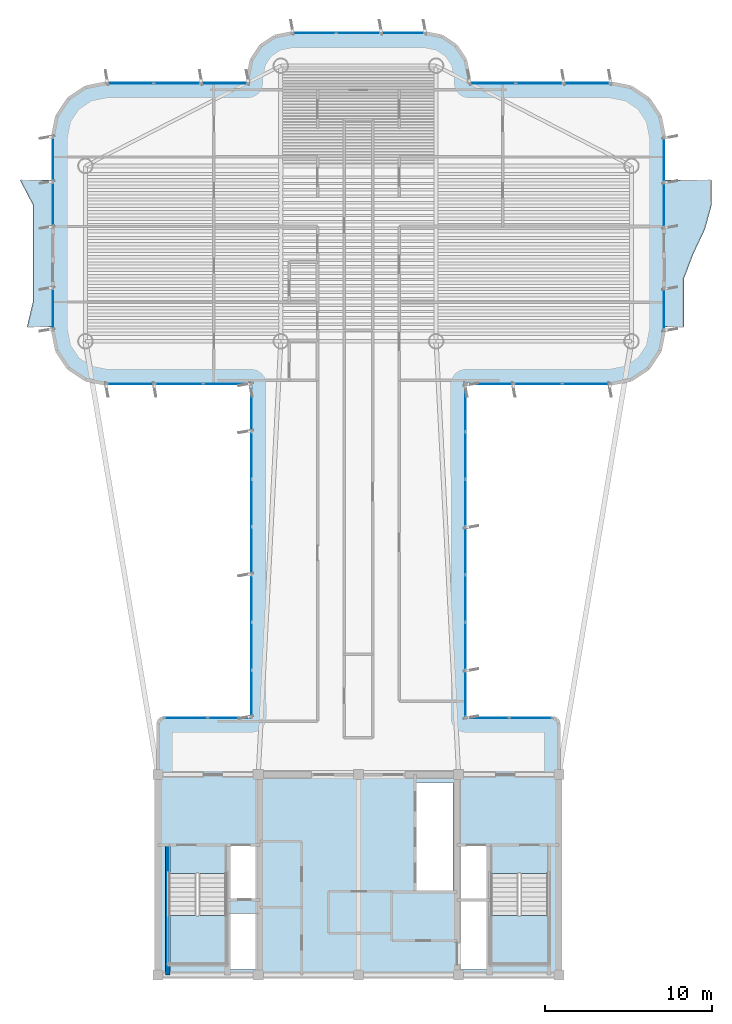
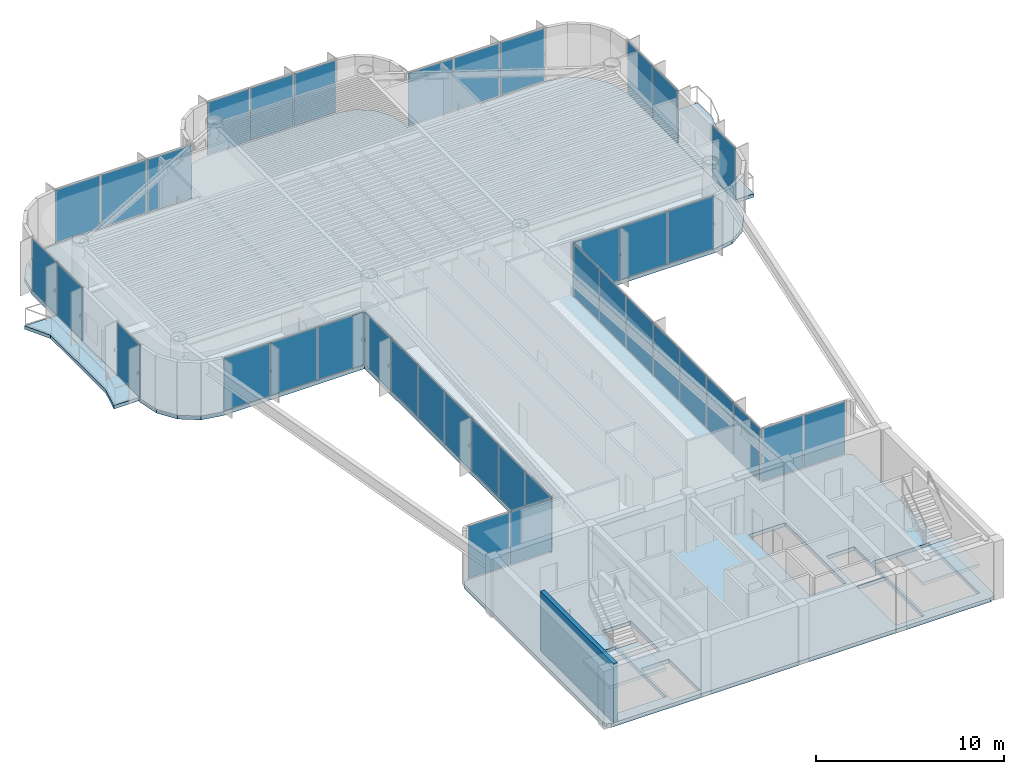
# One storey, part 9 of 15: 39 plates, 5 slabs, 1 wall, 15 elements without a shape of their own.
"""IFC4 building model written with IfcOpenShell, lengths in metres."""

from ifc_helpers import new_model, si_unit, direction, frame, frame_2d, origin, origin_2d, place, context, subcontext, project, spatial, polyline, rectangle, outline, extrude, source, transform, mapped, material, layer, layer_set, type_object, element, aggregate, save


model = new_model("IFC4")

# Units and contexts
model_context = context("Model", 3, precision=1e-05, world=origin(), true_north=direction((0.0, 1.0)))
body_context = subcontext(model_context, "Body", "Model", "MODEL_VIEW")
ifc_project = project(units=[si_unit("LENGTHUNIT", "METRE"), si_unit("AREAUNIT", "SQUARE_METRE"), si_unit("VOLUMEUNIT", "CUBIC_METRE"), si_unit("PLANEANGLEUNIT", "RADIAN"), si_unit("MASSUNIT", "GRAM", prefix="KILO")], contexts=[model_context])

# Site, building, storey
site_placement = place(None, origin())
site = spatial("IfcSite", under=ifc_project, at=site_placement, CompositionType="ELEMENT")
building_placement = place(site_placement, origin())
building = spatial("IfcBuilding", under=site, at=building_placement, Name="Brelvock Crest Care Tower", CompositionType="ELEMENT")
storey_placement = place(building_placement, frame((0.0, 0.0, 260.820068359375)))
storey = spatial("IfcBuildingStorey", under=building, at=storey_placement, Name="L66", CompositionType="ELEMENT", Elevation=260.820068359375)

# Slabs
ifc_material_1 = material(Name="Concrete N50 (50 MPa)", Category="concrete")
ifc_layer_1 = layer(ifc_material_1, 0.25, Name="SLB-FL3")
ifc_layer_set_1 = layer_set([ifc_layer_1], Name="Concrete N50 (50 MPa)")
slab_type_1 = type_object("IfcSlabType", Name="SLB-FL3", PredefinedType="FLOOR", material=ifc_layer_set_1)
slab_1_placement = place(storey_placement, frame((0.0, 0.0, -0.25)))
element("IfcSlab", 1, at=slab_1_placement, inside=storey, type_object=slab_type_1, Name="L66 Main Structural Slab", PredefinedType="FLOOR", context=body_context, shape_type="SweptSolid", body=[
    extrude(outline(polyline([(47.64990234375, 21.39990234375), (42.39990234375, 21.39990234375), (42.39990234375, 41.39990234375), (51.10009765625, 41.39990234375), (52.32470703125, 41.6435546875), (53.36279296875, 42.33740234375), (54.056396484375, 43.37548828125), (54.300048828125, 44.60009765625), (54.300048828125, 56.199951171875), (54.056396484375, 57.424560546875), (53.36279296875, 58.462646484375), (52.32470703125, 59.156494140625), (51.10009765625, 59.39990234375), (42.60009765625, 59.39990234375), (42.60009765625, 59.800048828125), (42.402099609375, 60.794921875), (41.83837890625, 61.638427734375), (40.9951171875, 62.2021484375), (40.0, 62.39990234375), (32.0, 62.39990234375), (31.0048828125, 62.2021484375), (30.16162109375, 61.638427734375), (29.597900390625, 60.794921875), (29.39990234375, 59.800048828125), (29.39990234375, 59.39990234375), (20.89990234375, 59.39990234375), (19.67529296875, 59.156494140625), (18.63720703125, 58.462646484375), (17.943603515625, 57.424560546875), (17.699951171875, 56.199951171875), (17.699951171875, 44.60009765625), (17.943603515625, 43.37548828125), (18.63720703125, 42.33740234375), (19.67529296875, 41.6435546875), (20.89990234375, 41.39990234375), (29.60009765625, 41.39990234375), (29.60009765625, 21.39990234375), (24.35009765625, 21.39990234375), (24.1025390625, 21.297607421875), (24.0, 21.050048828125), (24.0, 6.35009765625), (24.1025390625, 6.1025390625), (24.35009765625, 6.0), (47.64990234375, 6.0), (47.8974609375, 6.1025390625), (48.0, 6.35009765625), (48.0, 21.050048828125), (47.8974609375, 21.297607421875), (47.64990234375, 21.39990234375)]), holes=[polyline([(28.239990234375, 10.580078125), (29.97998046875, 10.580078125), (29.97998046875, 13.739990234375), (28.239990234375, 13.739990234375), (28.239990234375, 10.580078125)]), polyline([(42.02001953125, 10.580078125), (43.760009765625, 10.580078125), (43.760009765625, 13.739990234375), (42.02001953125, 13.739990234375), (42.02001953125, 10.580078125)]), polyline([(28.239990234375, 6.340087890625), (29.97998046875, 6.340087890625), (29.97998046875, 9.64990234375), (28.239990234375, 9.64990234375), (28.239990234375, 6.340087890625)]), polyline([(24.6298828125, 12.080078125), (24.6298828125, 6.699951171875), (28.110107421875, 6.699951171875), (28.110107421875, 12.080078125), (24.6298828125, 12.080078125)]), polyline([(43.889892578125, 12.080078125), (43.889892578125, 6.699951171875), (47.3701171875, 6.699951171875), (47.3701171875, 12.080078125), (43.889892578125, 12.080078125)]), polyline([(42.02001953125, 6.340087890625), (43.760009765625, 6.340087890625), (43.760009765625, 10.5), (42.02001953125, 10.5), (42.02001953125, 6.340087890625)]), polyline([(39.429931640625, 11.030029296875), (41.669921875, 11.030029296875), (41.669921875, 17.52001953125), (39.429931640625, 17.52001953125), (39.429931640625, 11.030029296875)])]), origin(), (0.0, 0.0, 1.0), 0.25),
])
ifc_layer_2 = layer(ifc_material_1, 0.219970703125, Name="SLB-WB1")
ifc_layer_set_2 = layer_set([ifc_layer_2], Name="Concrete N50 (50 MPa)")
slab_type_2 = type_object("IfcSlabType", Name="SLB-WB1", PredefinedType="FLOOR", material=ifc_layer_set_2)
slab_2_placement = place(storey_placement, frame((0.0, 0.0, -0.219970703125)))
element("IfcSlab", 2, at=slab_2_placement, inside=storey, type_object=slab_type_2, Name="L66 W Sinusoidal Wave Balcony Slab", PredefinedType="FLOOR", context=body_context, shape_type="SweptSolid", body=[
    extrude(outline(polyline([(17.699951171875, 53.60009765625), (15.73291015625, 53.60009765625), (16.49951171875, 52.13330078125), (16.5, 50.666748046875), (16.5, 49.199951171875), (16.5, 47.7333984375), (16.5, 46.2666015625), (16.14990234375, 44.800048828125), (17.699951171875, 44.800048828125), (17.699951171875, 53.60009765625)])), origin(), (0.0, 0.0, 1.0), 0.219970703125),
])
slab_3_placement = place(storey_placement, frame((0.0, 0.0, -0.219970703125)))
element("IfcSlab", 3, at=slab_3_placement, inside=storey, type_object=slab_type_2, Name="L66 E Sinusoidal Wave Balcony Slab", PredefinedType="FLOOR", context=body_context, shape_type="SweptSolid", body=[
    extrude(outline(polyline([(54.300048828125, 44.800048828125), (55.5, 44.800048828125), (55.5, 46.2666015625), (55.5, 47.7333984375), (56.061279296875, 49.199951171875), (56.75341796875, 50.666748046875), (57.154052734375, 52.13330078125), (57.1337890625, 53.60009765625), (54.300048828125, 53.60009765625), (54.300048828125, 44.800048828125)])), origin(), (0.0, 0.0, 1.0), 0.219970703125),
])

# Stair, slab
ifc_material_2 = material(Name="Concrete N40 (40 MPa)", Category="concrete")
stair_type = type_object("IfcStairType", Name="ST-CORE1", PredefinedType="HALF_TURN_STAIR", material=ifc_material_2)
stair_1_placement = place(storey_placement, origin())
stair_1 = element("IfcStair", 4, at=stair_1_placement, inside=storey, type_object=stair_type, Name="L66 Fire-Isolated Core Stair ST-1", PredefinedType="HALF_TURN_STAIR")
ifc_layer_3 = layer(ifc_material_2, 0.199951171875, Name="STL-1")
ifc_layer_set_3 = layer_set([ifc_layer_3], Name="Concrete N40 (40 MPa)")
slab_type_3 = type_object("IfcSlabType", Name="STL-1", PredefinedType="LANDING", material=ifc_layer_set_3)
slab_4_placement = place(storey_placement, frame((0.0, 0.0, 1.68994140625)))
slab_4 = element("IfcSlab", 5, at=slab_4_placement, type_object=slab_type_3, Name="ST-1 landing 1", PredefinedType="LANDING", context=body_context, shape_type="SweptSolid", body=[
    extrude(outline(polyline([(24.6298828125, 9.56005859375), (24.6298828125, 6.699951171875), (28.110107421875, 6.699951171875), (28.110107421875, 9.56005859375), (24.6298828125, 9.56005859375)])), origin(), (0.0, 0.0, 1.0), 0.199951171875),
])
aggregate(stair_1, [slab_4])

stair_2_placement = place(storey_placement, origin())
stair_2 = element("IfcStair", 6, at=stair_2_placement, inside=storey, type_object=stair_type, Name="L66 Fire-Isolated Core Stair ST-2", PredefinedType="HALF_TURN_STAIR")
slab_5_placement = place(storey_placement, frame((0.0, 0.0, 1.68994140625)))
slab_5 = element("IfcSlab", 7, at=slab_5_placement, type_object=slab_type_3, Name="ST-2 landing 1", PredefinedType="LANDING", context=body_context, shape_type="SweptSolid", body=[
    extrude(outline(polyline([(43.889892578125, 9.56005859375), (43.889892578125, 6.699951171875), (47.3701171875, 6.699951171875), (47.3701171875, 9.56005859375), (43.889892578125, 9.56005859375)])), origin(), (0.0, 0.0, 1.0), 0.199951171875),
])
aggregate(stair_2, [slab_5])

# Curtain wall, plates
ifc_material_3 = material(Name="Dark Glass Double Glazed Low-E", Category="glass")
ifc_layer_4 = layer(ifc_material_3, 0.239990234375, Name="CWS-5")
ifc_layer_set_4 = layer_set([ifc_layer_4], Name="Dark Glass Double Glazed Low-E")
curtain_wall_type = type_object("IfcCurtainWallType", Name="CWS-5", PredefinedType="NOTDEFINED", material=ifc_layer_set_4)
curtain_wall_1_placement = place(storey_placement, origin())
curtain_wall_1 = element("IfcCurtainWall", 8, at=curtain_wall_1_placement, inside=storey, type_object=curtain_wall_type, Name="L66 Curtain Wall E10", PredefinedType="NOTDEFINED")
ifc_layer_5 = layer(ifc_material_3, 0.0380859375, Name="CWP-V2")
ifc_layer_set_5 = layer_set([ifc_layer_5], Name="Dark Glass Double Glazed Low-E")
plate_type = type_object("IfcPlateType", Name="CWP-V2", PredefinedType="CURTAIN_PANEL", material=ifc_layer_set_5)
shared_shape_1 = source(origin(), body_context, "Body", "SweptSolid", [
    extrude(rectangle(XDim=2.534912109375, YDim=0.035888671875, at=origin_2d()), origin(), (0.0, 0.0, 1.0), 3.409912109375),
])
plate_1_placement = place(storey_placement, frame((25.677490234375, 21.39990234375, 0.06005859375), z_axis=(0.0, 0.0, 1.0), x_axis=(1.0, 0.0, 0.0)))
plate_1 = element("IfcPlate", 9, at=plate_1_placement, type_object=plate_type, Name="CW-5 panel 1.1", PredefinedType="CURTAIN_PANEL", context=body_context, shape_type="MappedRepresentation", body=[
    mapped(shared_shape_1, transform((0.0, 0.0, 0.0), x_axis=(1.0, 0.0, 0.0), y_axis=(0.0, 1.0, 0.0), z_axis=(0.0, 0.0, 1.0), scale=1.0)),
])
plate_2_placement = place(storey_placement, frame((28.2724609375, 21.39990234375, 0.06005859375), z_axis=(0.0, 0.0, 1.0), x_axis=(1.0, 0.0, 0.0)))
plate_2 = element("IfcPlate", 10, at=plate_2_placement, type_object=plate_type, Name="CW-5 panel 2.1", PredefinedType="CURTAIN_PANEL", context=body_context, shape_type="MappedRepresentation", body=[
    mapped(shared_shape_1, transform((0.0, 0.0, 0.0), x_axis=(1.0, 0.0, 0.0), y_axis=(0.0, 1.0, 0.0), z_axis=(0.0, 0.0, 1.0), scale=1.0)),
])
aggregate(curtain_wall_1, [plate_1, plate_2])

curtain_wall_2_placement = place(storey_placement, origin())
curtain_wall_2 = element("IfcCurtainWall", 11, at=curtain_wall_2_placement, inside=storey, type_object=curtain_wall_type, Name="L66 Curtain Wall E46", PredefinedType="NOTDEFINED")
plate_3_placement = place(storey_placement, frame((43.7275390625, 21.39990234375, 0.06005859375), z_axis=(0.0, 0.0, 1.0), x_axis=(1.0, 0.0, 0.0)))
plate_3 = element("IfcPlate", 12, at=plate_3_placement, type_object=plate_type, Name="CW-5 panel 1.1", PredefinedType="CURTAIN_PANEL", context=body_context, shape_type="MappedRepresentation", body=[
    mapped(shared_shape_1, transform((0.0, 0.0, 0.0), x_axis=(1.0, 0.0, 0.0), y_axis=(0.0, 1.0, 0.0), z_axis=(0.0, 0.0, 1.0), scale=1.0)),
])
plate_4_placement = place(storey_placement, frame((46.322509765625, 21.39990234375, 0.06005859375), z_axis=(0.0, 0.0, 1.0), x_axis=(1.0, 0.0, 0.0)))
plate_4 = element("IfcPlate", 13, at=plate_4_placement, type_object=plate_type, Name="CW-5 panel 2.1", PredefinedType="CURTAIN_PANEL", context=body_context, shape_type="MappedRepresentation", body=[
    mapped(shared_shape_1, transform((0.0, 0.0, 0.0), x_axis=(1.0, 0.0, 0.0), y_axis=(0.0, 1.0, 0.0), z_axis=(0.0, 0.0, 1.0), scale=1.0)),
])
aggregate(curtain_wall_2, [plate_3, plate_4])

curtain_wall_3_placement = place(storey_placement, origin())
curtain_wall_3 = element("IfcCurtainWall", 14, at=curtain_wall_3_placement, inside=storey, type_object=curtain_wall_type, Name="L66 Curtain Wall E11", PredefinedType="NOTDEFINED")
shared_shape_2 = source(origin(), body_context, "Body", "SweptSolid", [
    extrude(rectangle(XDim=2.76708984375, YDim=0.035888671875, at=origin_2d()), origin(), (0.0, 0.0, 1.0), 3.409912109375),
])
plate_5_placement = place(storey_placement, frame((29.60009765625, 22.843505859375, 0.06005859375), z_axis=(0.0, 0.0, 1.0), x_axis=(0.0, 1.0, 0.0)))
plate_5 = element("IfcPlate", 15, at=plate_5_placement, type_object=plate_type, Name="CW-5 panel 1.1", PredefinedType="CURTAIN_PANEL", context=body_context, shape_type="MappedRepresentation", body=[
    mapped(shared_shape_2, transform((0.0, 0.0, 0.0), x_axis=(1.0, 0.0, 0.0), y_axis=(0.0, 1.0, 0.0), z_axis=(0.0, 0.0, 1.0), scale=1.0)),
])
plate_6_placement = place(storey_placement, frame((29.60009765625, 39.95654296875, 0.06005859375), z_axis=(0.0, 0.0, 1.0), x_axis=(0.0, 1.0, 0.0)))
plate_6 = element("IfcPlate", 16, at=plate_6_placement, type_object=plate_type, Name="CW-5 panel 7.1", PredefinedType="CURTAIN_PANEL", context=body_context, shape_type="MappedRepresentation", body=[
    mapped(shared_shape_2, transform((0.0, 0.0, 0.0), x_axis=(1.0, 0.0, 0.0), y_axis=(0.0, 1.0, 0.0), z_axis=(0.0, 0.0, 1.0), scale=1.0)),
])

curtain_wall_4_placement = place(storey_placement, origin())
curtain_wall_4 = element("IfcCurtainWall", 17, at=curtain_wall_4_placement, inside=storey, type_object=curtain_wall_type, Name="L66 Curtain Wall E45", PredefinedType="NOTDEFINED")
plate_7_placement = place(storey_placement, frame((42.39990234375, 39.95654296875, 0.06005859375), z_axis=(0.0, 0.0, 1.0), x_axis=(0.0, -1.0, 0.0)))
plate_7 = element("IfcPlate", 18, at=plate_7_placement, type_object=plate_type, Name="CW-5 panel 1.1", PredefinedType="CURTAIN_PANEL", context=body_context, shape_type="MappedRepresentation", body=[
    mapped(shared_shape_2, transform((0.0, 0.0, 0.0), x_axis=(1.0, 0.0, 0.0), y_axis=(0.0, 1.0, 0.0), z_axis=(0.0, 0.0, 1.0), scale=1.0)),
])
plate_8_placement = place(storey_placement, frame((42.39990234375, 22.843505859375, 0.06005859375), z_axis=(0.0, 0.0, 1.0), x_axis=(0.0, -1.0, 0.0)))
plate_8 = element("IfcPlate", 19, at=plate_8_placement, type_object=plate_type, Name="CW-5 panel 7.1", PredefinedType="CURTAIN_PANEL", context=body_context, shape_type="MappedRepresentation", body=[
    mapped(shared_shape_2, transform((0.0, 0.0, 0.0), x_axis=(1.0, 0.0, 0.0), y_axis=(0.0, 1.0, 0.0), z_axis=(0.0, 0.0, 1.0), scale=1.0)),
])

# Plate
shared_shape_3 = source(origin(), body_context, "Body", "SweptSolid", [
    extrude(rectangle(XDim=2.797119140625, YDim=0.035888671875, at=origin_2d()), origin(), (0.0, 0.0, 1.0), 3.409912109375),
])
plate_9_placement = place(storey_placement, frame((29.60009765625, 25.685791015625, 0.06005859375), z_axis=(0.0, 0.0, 1.0), x_axis=(0.0, 1.0, 0.0)))
plate_9 = element("IfcPlate", 20, at=plate_9_placement, type_object=plate_type, Name="CW-5 panel 2.1", PredefinedType="CURTAIN_PANEL", context=body_context, shape_type="MappedRepresentation", body=[
    mapped(shared_shape_3, transform((0.0, 0.0, 0.0), x_axis=(1.0, 0.0, 0.0), y_axis=(0.0, 1.0, 0.0), z_axis=(0.0, 0.0, 1.0), scale=1.0)),
])

plate_10_placement = place(storey_placement, frame((29.60009765625, 28.54296875, 0.06005859375), z_axis=(0.0, 0.0, 1.0), x_axis=(0.0, 1.0, 0.0)))
plate_10 = element("IfcPlate", 21, at=plate_10_placement, type_object=plate_type, Name="CW-5 panel 3.1", PredefinedType="CURTAIN_PANEL", context=body_context, shape_type="MappedRepresentation", body=[
    mapped(shared_shape_3, transform((0.0, 0.0, 0.0), x_axis=(1.0, 0.0, 0.0), y_axis=(0.0, 1.0, 0.0), z_axis=(0.0, 0.0, 1.0), scale=1.0)),
])

plate_11_placement = place(storey_placement, frame((29.60009765625, 31.39990234375, 0.06005859375), z_axis=(0.0, 0.0, 1.0), x_axis=(0.0, 1.0, 0.0)))
plate_11 = element("IfcPlate", 22, at=plate_11_placement, type_object=plate_type, Name="CW-5 panel 4.1", PredefinedType="CURTAIN_PANEL", context=body_context, shape_type="MappedRepresentation", body=[
    mapped(shared_shape_3, transform((0.0, 0.0, 0.0), x_axis=(1.0, 0.0, 0.0), y_axis=(0.0, 1.0, 0.0), z_axis=(0.0, 0.0, 1.0), scale=1.0)),
])

plate_12_placement = place(storey_placement, frame((29.60009765625, 34.257080078125, 0.06005859375), z_axis=(0.0, 0.0, 1.0), x_axis=(0.0, 1.0, 0.0)))
plate_12 = element("IfcPlate", 23, at=plate_12_placement, type_object=plate_type, Name="CW-5 panel 5.1", PredefinedType="CURTAIN_PANEL", context=body_context, shape_type="MappedRepresentation", body=[
    mapped(shared_shape_3, transform((0.0, 0.0, 0.0), x_axis=(1.0, 0.0, 0.0), y_axis=(0.0, 1.0, 0.0), z_axis=(0.0, 0.0, 1.0), scale=1.0)),
])

plate_13_placement = place(storey_placement, frame((29.60009765625, 37.1142578125, 0.06005859375), z_axis=(0.0, 0.0, 1.0), x_axis=(0.0, 1.0, 0.0)))
plate_13 = element("IfcPlate", 24, at=plate_13_placement, type_object=plate_type, Name="CW-5 panel 6.1", PredefinedType="CURTAIN_PANEL", context=body_context, shape_type="MappedRepresentation", body=[
    mapped(shared_shape_3, transform((0.0, 0.0, 0.0), x_axis=(1.0, 0.0, 0.0), y_axis=(0.0, 1.0, 0.0), z_axis=(0.0, 0.0, 1.0), scale=1.0)),
])

aggregate(curtain_wall_3, [plate_5, plate_9, plate_10, plate_11, plate_12, plate_13, plate_6])

plate_14_placement = place(storey_placement, frame((42.39990234375, 37.1142578125, 0.06005859375), z_axis=(0.0, 0.0, 1.0), x_axis=(0.0, -1.0, 0.0)))
plate_14 = element("IfcPlate", 25, at=plate_14_placement, type_object=plate_type, Name="CW-5 panel 2.1", PredefinedType="CURTAIN_PANEL", context=body_context, shape_type="MappedRepresentation", body=[
    mapped(shared_shape_3, transform((0.0, 0.0, 0.0), x_axis=(1.0, 0.0, 0.0), y_axis=(0.0, 1.0, 0.0), z_axis=(0.0, 0.0, 1.0), scale=1.0)),
])

plate_15_placement = place(storey_placement, frame((42.39990234375, 34.257080078125, 0.06005859375), z_axis=(0.0, 0.0, 1.0), x_axis=(0.0, -1.0, 0.0)))
plate_15 = element("IfcPlate", 26, at=plate_15_placement, type_object=plate_type, Name="CW-5 panel 3.1", PredefinedType="CURTAIN_PANEL", context=body_context, shape_type="MappedRepresentation", body=[
    mapped(shared_shape_3, transform((0.0, 0.0, 0.0), x_axis=(1.0, 0.0, 0.0), y_axis=(0.0, 1.0, 0.0), z_axis=(0.0, 0.0, 1.0), scale=1.0)),
])

plate_16_placement = place(storey_placement, frame((42.39990234375, 31.39990234375, 0.06005859375), z_axis=(0.0, 0.0, 1.0), x_axis=(0.0, -1.0, 0.0)))
plate_16 = element("IfcPlate", 27, at=plate_16_placement, type_object=plate_type, Name="CW-5 panel 4.1", PredefinedType="CURTAIN_PANEL", context=body_context, shape_type="MappedRepresentation", body=[
    mapped(shared_shape_3, transform((0.0, 0.0, 0.0), x_axis=(1.0, 0.0, 0.0), y_axis=(0.0, 1.0, 0.0), z_axis=(0.0, 0.0, 1.0), scale=1.0)),
])

plate_17_placement = place(storey_placement, frame((42.39990234375, 28.54296875, 0.06005859375), z_axis=(0.0, 0.0, 1.0), x_axis=(0.0, -1.0, 0.0)))
plate_17 = element("IfcPlate", 28, at=plate_17_placement, type_object=plate_type, Name="CW-5 panel 5.1", PredefinedType="CURTAIN_PANEL", context=body_context, shape_type="MappedRepresentation", body=[
    mapped(shared_shape_3, transform((0.0, 0.0, 0.0), x_axis=(1.0, 0.0, 0.0), y_axis=(0.0, 1.0, 0.0), z_axis=(0.0, 0.0, 1.0), scale=1.0)),
])

plate_18_placement = place(storey_placement, frame((42.39990234375, 25.685791015625, 0.06005859375), z_axis=(0.0, 0.0, 1.0), x_axis=(0.0, -1.0, 0.0)))
plate_18 = element("IfcPlate", 29, at=plate_18_placement, type_object=plate_type, Name="CW-5 panel 6.1", PredefinedType="CURTAIN_PANEL", context=body_context, shape_type="MappedRepresentation", body=[
    mapped(shared_shape_3, transform((0.0, 0.0, 0.0), x_axis=(1.0, 0.0, 0.0), y_axis=(0.0, 1.0, 0.0), z_axis=(0.0, 0.0, 1.0), scale=1.0)),
])

aggregate(curtain_wall_4, [plate_7, plate_14, plate_15, plate_16, plate_17, plate_18, plate_8])

# Curtain wall, plates
curtain_wall_5_placement = place(storey_placement, origin())
curtain_wall_5 = element("IfcCurtainWall", 30, at=curtain_wall_5_placement, inside=storey, type_object=curtain_wall_type, Name="L66 Curtain Wall E12", PredefinedType="NOTDEFINED")
shared_shape_4 = source(origin(), body_context, "Body", "SweptSolid", [
    extrude(rectangle(XDim=2.81005859375, YDim=0.035888671875, at=origin_2d()), origin(), (0.0, 0.0, 1.0), 3.409912109375),
])
plate_19_placement = place(storey_placement, frame((28.135009765625, 41.39990234375, 0.06005859375), z_axis=(0.0, 0.0, 1.0), x_axis=(-1.0, 0.0, 0.0)))
plate_19 = element("IfcPlate", 31, at=plate_19_placement, type_object=plate_type, Name="CW-5 panel 1.1", PredefinedType="CURTAIN_PANEL", context=body_context, shape_type="MappedRepresentation", body=[
    mapped(shared_shape_4, transform((0.0, 0.0, 0.0), x_axis=(1.0, 0.0, 0.0), y_axis=(0.0, 1.0, 0.0), z_axis=(0.0, 0.0, 1.0), scale=1.0)),
])
plate_20_placement = place(storey_placement, frame((22.364990234375, 41.39990234375, 0.06005859375), z_axis=(0.0, 0.0, 1.0), x_axis=(-1.0, 0.0, 0.0)))
plate_20 = element("IfcPlate", 32, at=plate_20_placement, type_object=plate_type, Name="CW-5 panel 3.1", PredefinedType="CURTAIN_PANEL", context=body_context, shape_type="MappedRepresentation", body=[
    mapped(shared_shape_4, transform((0.0, 0.0, 0.0), x_axis=(1.0, 0.0, 0.0), y_axis=(0.0, 1.0, 0.0), z_axis=(0.0, 0.0, 1.0), scale=1.0)),
])

curtain_wall_6_placement = place(storey_placement, origin())
curtain_wall_6 = element("IfcCurtainWall", 33, at=curtain_wall_6_placement, inside=storey, type_object=curtain_wall_type, Name="L66 Curtain Wall E44", PredefinedType="NOTDEFINED")
plate_21_placement = place(storey_placement, frame((49.635009765625, 41.39990234375, 0.06005859375), z_axis=(0.0, 0.0, 1.0), x_axis=(-1.0, 0.0, 0.0)))
plate_21 = element("IfcPlate", 34, at=plate_21_placement, type_object=plate_type, Name="CW-5 panel 1.1", PredefinedType="CURTAIN_PANEL", context=body_context, shape_type="MappedRepresentation", body=[
    mapped(shared_shape_4, transform((0.0, 0.0, 0.0), x_axis=(1.0, 0.0, 0.0), y_axis=(0.0, 1.0, 0.0), z_axis=(0.0, 0.0, 1.0), scale=1.0)),
])
plate_22_placement = place(storey_placement, frame((43.864990234375, 41.39990234375, 0.06005859375), z_axis=(0.0, 0.0, 1.0), x_axis=(-1.0, 0.0, 0.0)))
plate_22 = element("IfcPlate", 35, at=plate_22_placement, type_object=plate_type, Name="CW-5 panel 3.1", PredefinedType="CURTAIN_PANEL", context=body_context, shape_type="MappedRepresentation", body=[
    mapped(shared_shape_4, transform((0.0, 0.0, 0.0), x_axis=(1.0, 0.0, 0.0), y_axis=(0.0, 1.0, 0.0), z_axis=(0.0, 0.0, 1.0), scale=1.0)),
])

# Plate
shared_shape_5 = source(origin(), body_context, "Body", "SweptSolid", [
    extrude(rectangle(XDim=2.840087890625, YDim=0.035888671875, at=origin_2d()), origin(), (0.0, 0.0, 1.0), 3.409912109375),
])
plate_23_placement = place(storey_placement, frame((25.25, 41.39990234375, 0.06005859375), z_axis=(0.0, 0.0, 1.0), x_axis=(-1.0, 0.0, 0.0)))
plate_23 = element("IfcPlate", 36, at=plate_23_placement, type_object=plate_type, Name="CW-5 panel 2.1", PredefinedType="CURTAIN_PANEL", context=body_context, shape_type="MappedRepresentation", body=[
    mapped(shared_shape_5, transform((0.0, 0.0, 0.0), x_axis=(1.0, 0.0, 0.0), y_axis=(0.0, 1.0, 0.0), z_axis=(0.0, 0.0, 1.0), scale=1.0)),
])

aggregate(curtain_wall_5, [plate_19, plate_23, plate_20])

plate_24_placement = place(storey_placement, frame((46.75, 41.39990234375, 0.06005859375), z_axis=(0.0, 0.0, 1.0), x_axis=(-1.0, 0.0, 0.0)))
plate_24 = element("IfcPlate", 37, at=plate_24_placement, type_object=plate_type, Name="CW-5 panel 2.1", PredefinedType="CURTAIN_PANEL", context=body_context, shape_type="MappedRepresentation", body=[
    mapped(shared_shape_5, transform((0.0, 0.0, 0.0), x_axis=(1.0, 0.0, 0.0), y_axis=(0.0, 1.0, 0.0), z_axis=(0.0, 0.0, 1.0), scale=1.0)),
])

aggregate(curtain_wall_6, [plate_21, plate_24, plate_22])

# Curtain wall, plates
curtain_wall_7_placement = place(storey_placement, origin())
curtain_wall_7 = element("IfcCurtainWall", 38, at=curtain_wall_7_placement, inside=storey, type_object=curtain_wall_type, Name="L66 Curtain Wall E22", PredefinedType="NOTDEFINED")
shared_shape_6 = source(origin(), body_context, "Body", "SweptSolid", [
    extrude(rectangle(XDim=2.743408203125, YDim=0.035888671875, at=origin_2d()), origin(), (0.0, 0.0, 1.0), 3.409912109375),
])
plate_25_placement = place(storey_placement, frame((22.331787109375, 59.39990234375, 0.06005859375), z_axis=(0.0, 0.0, 1.0), x_axis=(1.0, 0.0, 0.0)))
plate_25 = element("IfcPlate", 39, at=plate_25_placement, type_object=plate_type, Name="CW-5 panel 1.1", PredefinedType="CURTAIN_PANEL", context=body_context, shape_type="MappedRepresentation", body=[
    mapped(shared_shape_6, transform((0.0, 0.0, 0.0), x_axis=(1.0, 0.0, 0.0), y_axis=(0.0, 1.0, 0.0), z_axis=(0.0, 0.0, 1.0), scale=1.0)),
])
plate_26_placement = place(storey_placement, frame((27.96826171875, 59.39990234375, 0.06005859375), z_axis=(0.0, 0.0, 1.0), x_axis=(1.0, 0.0, 0.0)))
plate_26 = element("IfcPlate", 40, at=plate_26_placement, type_object=plate_type, Name="CW-5 panel 3.1", PredefinedType="CURTAIN_PANEL", context=body_context, shape_type="MappedRepresentation", body=[
    mapped(shared_shape_6, transform((0.0, 0.0, 0.0), x_axis=(1.0, 0.0, 0.0), y_axis=(0.0, 1.0, 0.0), z_axis=(0.0, 0.0, 1.0), scale=1.0)),
])

curtain_wall_8_placement = place(storey_placement, origin())
curtain_wall_8 = element("IfcCurtainWall", 41, at=curtain_wall_8_placement, inside=storey, type_object=curtain_wall_type, Name="L66 Curtain Wall E34", PredefinedType="NOTDEFINED")
plate_27_placement = place(storey_placement, frame((44.03173828125, 59.39990234375, 0.06005859375), z_axis=(0.0, 0.0, 1.0), x_axis=(1.0, 0.0, 0.0)))
plate_27 = element("IfcPlate", 42, at=plate_27_placement, type_object=plate_type, Name="CW-5 panel 1.1", PredefinedType="CURTAIN_PANEL", context=body_context, shape_type="MappedRepresentation", body=[
    mapped(shared_shape_6, transform((0.0, 0.0, 0.0), x_axis=(1.0, 0.0, 0.0), y_axis=(0.0, 1.0, 0.0), z_axis=(0.0, 0.0, 1.0), scale=1.0)),
])
plate_28_placement = place(storey_placement, frame((49.668212890625, 59.39990234375, 0.06005859375), z_axis=(0.0, 0.0, 1.0), x_axis=(1.0, 0.0, 0.0)))
plate_28 = element("IfcPlate", 43, at=plate_28_placement, type_object=plate_type, Name="CW-5 panel 3.1", PredefinedType="CURTAIN_PANEL", context=body_context, shape_type="MappedRepresentation", body=[
    mapped(shared_shape_6, transform((0.0, 0.0, 0.0), x_axis=(1.0, 0.0, 0.0), y_axis=(0.0, 1.0, 0.0), z_axis=(0.0, 0.0, 1.0), scale=1.0)),
])

# Plate
shared_shape_7 = source(origin(), body_context, "Body", "SweptSolid", [
    extrude(rectangle(XDim=2.7734375, YDim=0.035888671875, at=origin_2d()), origin(), (0.0, 0.0, 1.0), 3.409912109375),
])
plate_29_placement = place(storey_placement, frame((25.14990234375, 59.39990234375, 0.06005859375), z_axis=(0.0, 0.0, 1.0), x_axis=(1.0, 0.0, 0.0)))
plate_29 = element("IfcPlate", 44, at=plate_29_placement, type_object=plate_type, Name="CW-5 panel 2.1", PredefinedType="CURTAIN_PANEL", context=body_context, shape_type="MappedRepresentation", body=[
    mapped(shared_shape_7, transform((0.0, 0.0, 0.0), x_axis=(1.0, 0.0, 0.0), y_axis=(0.0, 1.0, 0.0), z_axis=(0.0, 0.0, 1.0), scale=1.0)),
])

aggregate(curtain_wall_7, [plate_25, plate_29, plate_26])

plate_30_placement = place(storey_placement, frame((46.85009765625, 59.39990234375, 0.06005859375), z_axis=(0.0, 0.0, 1.0), x_axis=(1.0, 0.0, 0.0)))
plate_30 = element("IfcPlate", 45, at=plate_30_placement, type_object=plate_type, Name="CW-5 panel 2.1", PredefinedType="CURTAIN_PANEL", context=body_context, shape_type="MappedRepresentation", body=[
    mapped(shared_shape_7, transform((0.0, 0.0, 0.0), x_axis=(1.0, 0.0, 0.0), y_axis=(0.0, 1.0, 0.0), z_axis=(0.0, 0.0, 1.0), scale=1.0)),
])

aggregate(curtain_wall_8, [plate_27, plate_30, plate_28])

# Curtain wall, plates
curtain_wall_9_placement = place(storey_placement, origin())
curtain_wall_9 = element("IfcCurtainWall", 46, at=curtain_wall_9_placement, inside=storey, type_object=curtain_wall_type, Name="L66 Curtain Wall E28", PredefinedType="NOTDEFINED")
shared_shape_8 = source(origin(), body_context, "Body", "SweptSolid", [
    extrude(rectangle(XDim=2.57666015625, YDim=0.035888671875, at=origin_2d()), origin(), (0.0, 0.0, 1.0), 3.409912109375),
])
plate_31_placement = place(storey_placement, frame((33.348388671875, 62.39990234375, 0.06005859375), z_axis=(0.0, 0.0, 1.0), x_axis=(1.0, 0.0, 0.0)))
plate_31 = element("IfcPlate", 47, at=plate_31_placement, type_object=plate_type, Name="CW-5 panel 1.1", PredefinedType="CURTAIN_PANEL", context=body_context, shape_type="MappedRepresentation", body=[
    mapped(shared_shape_8, transform((0.0, 0.0, 0.0), x_axis=(1.0, 0.0, 0.0), y_axis=(0.0, 1.0, 0.0), z_axis=(0.0, 0.0, 1.0), scale=1.0)),
])
plate_32_placement = place(storey_placement, frame((38.651611328125, 62.39990234375, 0.06005859375), z_axis=(0.0, 0.0, 1.0), x_axis=(1.0, 0.0, 0.0)))
plate_32 = element("IfcPlate", 48, at=plate_32_placement, type_object=plate_type, Name="CW-5 panel 3.1", PredefinedType="CURTAIN_PANEL", context=body_context, shape_type="MappedRepresentation", body=[
    mapped(shared_shape_8, transform((0.0, 0.0, 0.0), x_axis=(1.0, 0.0, 0.0), y_axis=(0.0, 1.0, 0.0), z_axis=(0.0, 0.0, 1.0), scale=1.0)),
])
shared_shape_9 = source(origin(), body_context, "Body", "SweptSolid", [
    extrude(rectangle(XDim=2.606689453125, YDim=0.035888671875, at=origin_2d()), origin(), (0.0, 0.0, 1.0), 3.409912109375),
])
plate_33_placement = place(storey_placement, frame((36.0, 62.39990234375, 0.06005859375), z_axis=(0.0, 0.0, 1.0), x_axis=(1.0, 0.0, 0.0)))
plate_33 = element("IfcPlate", 49, at=plate_33_placement, type_object=plate_type, Name="CW-5 panel 2.1", PredefinedType="CURTAIN_PANEL", context=body_context, shape_type="MappedRepresentation", body=[
    mapped(shared_shape_9, transform((0.0, 0.0, 0.0), x_axis=(1.0, 0.0, 0.0), y_axis=(0.0, 1.0, 0.0), z_axis=(0.0, 0.0, 1.0), scale=1.0)),
])
aggregate(curtain_wall_9, [plate_31, plate_33, plate_32])

# Curtain wall, plate
curtain_wall_10_placement = place(storey_placement, origin())
curtain_wall_10 = element("IfcCurtainWall", 50, at=curtain_wall_10_placement, inside=storey, type_object=curtain_wall_type, Name="L66 Curtain Wall E17A", PredefinedType="NOTDEFINED")
shared_shape_10 = source(origin(), body_context, "Body", "SweptSolid", [
    extrude(rectangle(XDim=2.429931640625, YDim=0.035888671875, at=origin_2d()), origin(), (0.0, 0.0, 1.0), 3.409912109375),
])
plate_34_placement = place(storey_placement, frame((17.699951171875, 45.875, 0.06005859375), z_axis=(0.0, 0.0, 1.0), x_axis=(0.0, 1.0, 0.0)))
plate_34 = element("IfcPlate", 51, at=plate_34_placement, type_object=plate_type, Name="CW-5 panel 1.1", PredefinedType="CURTAIN_PANEL", context=body_context, shape_type="MappedRepresentation", body=[
    mapped(shared_shape_10, transform((0.0, 0.0, 0.0), x_axis=(1.0, 0.0, 0.0), y_axis=(0.0, 1.0, 0.0), z_axis=(0.0, 0.0, 1.0), scale=1.0)),
])
aggregate(curtain_wall_10, [plate_34])

curtain_wall_11_placement = place(storey_placement, origin())
curtain_wall_11 = element("IfcCurtainWall", 52, at=curtain_wall_11_placement, inside=storey, type_object=curtain_wall_type, Name="L66 Curtain Wall E39B", PredefinedType="NOTDEFINED")
plate_35_placement = place(storey_placement, frame((54.300048828125, 45.875, 0.06005859375), z_axis=(0.0, 0.0, 1.0), x_axis=(0.0, -1.0, 0.0)))
plate_35 = element("IfcPlate", 53, at=plate_35_placement, type_object=plate_type, Name="CW-5 panel 1.1", PredefinedType="CURTAIN_PANEL", context=body_context, shape_type="MappedRepresentation", body=[
    mapped(shared_shape_10, transform((0.0, 0.0, 0.0), x_axis=(1.0, 0.0, 0.0), y_axis=(0.0, 1.0, 0.0), z_axis=(0.0, 0.0, 1.0), scale=1.0)),
])
aggregate(curtain_wall_11, [plate_35])

# Curtain wall, plates
curtain_wall_12_placement = place(storey_placement, origin())
curtain_wall_12 = element("IfcCurtainWall", 54, at=curtain_wall_12_placement, inside=storey, type_object=curtain_wall_type, Name="L66 Curtain Wall E17B", PredefinedType="NOTDEFINED")
shared_shape_11 = source(origin(), body_context, "Body", "SweptSolid", [
    extrude(rectangle(XDim=2.635009765625, YDim=0.035888671875, at=origin_2d()), origin(), (0.0, 0.0, 1.0), 3.409912109375),
])
plate_36_placement = place(storey_placement, frame((17.699951171875, 52.12744140625, 0.06005859375), z_axis=(0.0, 0.0, 1.0), x_axis=(0.0, 1.0, 0.0)))
plate_36 = element("IfcPlate", 55, at=plate_36_placement, type_object=plate_type, Name="CW-5 panel 1.1", PredefinedType="CURTAIN_PANEL", context=body_context, shape_type="MappedRepresentation", body=[
    mapped(shared_shape_11, transform((0.0, 0.0, 0.0), x_axis=(1.0, 0.0, 0.0), y_axis=(0.0, 1.0, 0.0), z_axis=(0.0, 0.0, 1.0), scale=1.0)),
])
plate_37_placement = place(storey_placement, frame((17.699951171875, 54.822509765625, 0.06005859375), z_axis=(0.0, 0.0, 1.0), x_axis=(0.0, 1.0, 0.0)))
plate_37 = element("IfcPlate", 56, at=plate_37_placement, type_object=plate_type, Name="CW-5 panel 2.1", PredefinedType="CURTAIN_PANEL", context=body_context, shape_type="MappedRepresentation", body=[
    mapped(shared_shape_11, transform((0.0, 0.0, 0.0), x_axis=(1.0, 0.0, 0.0), y_axis=(0.0, 1.0, 0.0), z_axis=(0.0, 0.0, 1.0), scale=1.0)),
])
aggregate(curtain_wall_12, [plate_36, plate_37])

curtain_wall_13_placement = place(storey_placement, origin())
curtain_wall_13 = element("IfcCurtainWall", 57, at=curtain_wall_13_placement, inside=storey, type_object=curtain_wall_type, Name="L66 Curtain Wall E39A", PredefinedType="NOTDEFINED")
plate_38_placement = place(storey_placement, frame((54.300048828125, 54.822509765625, 0.06005859375), z_axis=(0.0, 0.0, 1.0), x_axis=(0.0, -1.0, 0.0)))
plate_38 = element("IfcPlate", 58, at=plate_38_placement, type_object=plate_type, Name="CW-5 panel 1.1", PredefinedType="CURTAIN_PANEL", context=body_context, shape_type="MappedRepresentation", body=[
    mapped(shared_shape_11, transform((0.0, 0.0, 0.0), x_axis=(1.0, 0.0, 0.0), y_axis=(0.0, 1.0, 0.0), z_axis=(0.0, 0.0, 1.0), scale=1.0)),
])
plate_39_placement = place(storey_placement, frame((54.300048828125, 52.12744140625, 0.06005859375), z_axis=(0.0, 0.0, 1.0), x_axis=(0.0, -1.0, 0.0)))
plate_39 = element("IfcPlate", 59, at=plate_39_placement, type_object=plate_type, Name="CW-5 panel 2.1", PredefinedType="CURTAIN_PANEL", context=body_context, shape_type="MappedRepresentation", body=[
    mapped(shared_shape_11, transform((0.0, 0.0, 0.0), x_axis=(1.0, 0.0, 0.0), y_axis=(0.0, 1.0, 0.0), z_axis=(0.0, 0.0, 1.0), scale=1.0)),
])
aggregate(curtain_wall_13, [plate_38, plate_39])

# Wall
ifc_material_4 = material(Name="Concrete S80 (80 MPa)", Category="concrete")
ifc_layer_6 = layer(ifc_material_4, 0.25, Name="WL-CS6")
ifc_layer_set_6 = layer_set([ifc_layer_6], Name="Concrete S80 (80 MPa)")
wall_type = type_object("IfcWallType", Name="WL-CS6", PredefinedType="SHEAR", material=ifc_layer_set_6)
wall_placement = place(storey_placement, frame((24.580078125, 6.0, 0.0), z_axis=(0.0, 0.0, 1.0), x_axis=(0.0, 1.0, 0.0)))
element("IfcWall", 60, at=wall_placement, inside=storey, type_object=wall_type, Name="L66 Core Stair ST-1 West Shear Wall", PredefinedType="SHEAR", context=body_context, shape_type="SweptSolid", body=[
    extrude(rectangle(XDim=7.780029296875, YDim=0.25, at=frame_2d((3.89013671875, 0.0))), origin(), (0.0, 0.0, 1.0), 3.849853515625),
])

save(model, "model.ifc")
